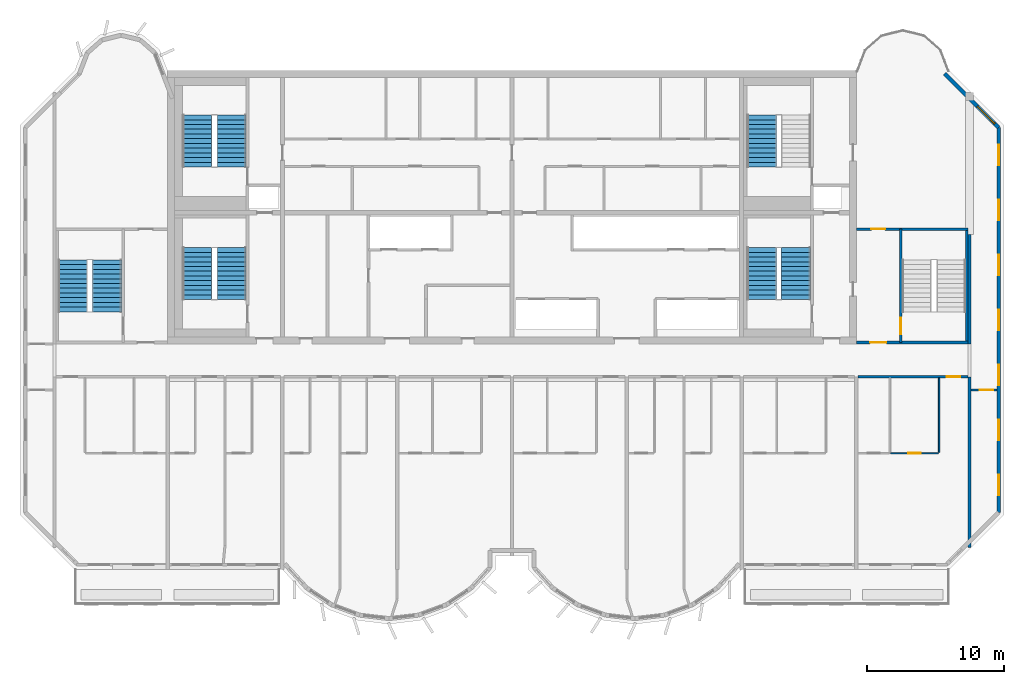
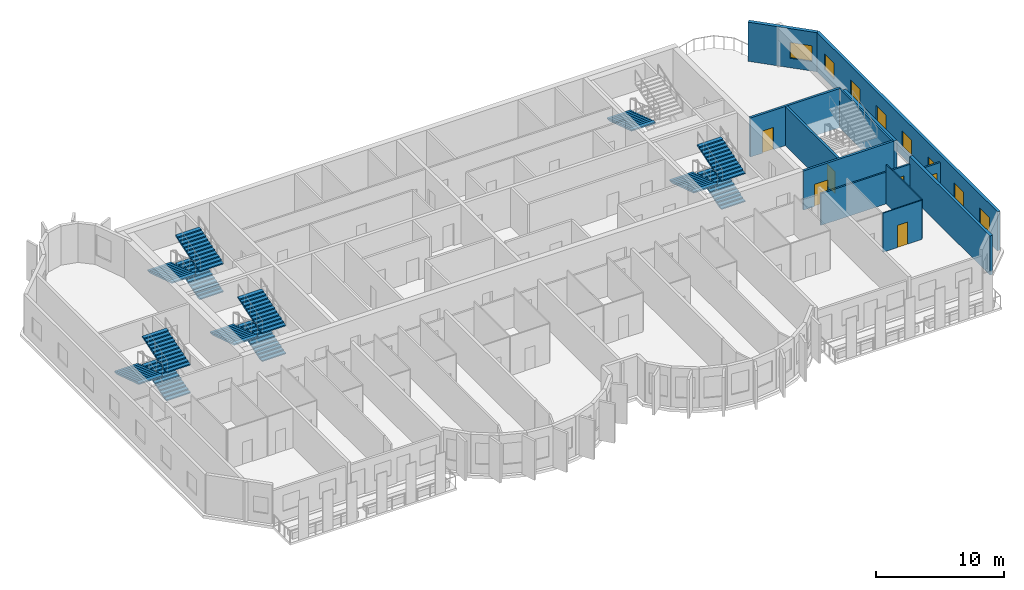
# One storey, part 8 of 12: 13 stair flights, 12 walls, 8 windows, 6 doors, 14 openings, 5 elements without a shape of their own.
"""IFC4 building model written with IfcOpenShell, lengths in metres."""

from ifc_helpers import new_model, si_unit, direction, frame, frame_2d, origin, place, context, subcontext, project, spatial, polyline, rectangle, outline, extrude, source, transform, mapped, material, layer, layer_set, type_object, element, fill, aggregate, save


model = new_model("IFC4")

# Units and contexts
model_context = context("Model", 3, precision=1e-05, world=origin(), true_north=direction((0.0, 1.0)))
body_context = subcontext(model_context, "Body", "Model", "MODEL_VIEW")
ifc_project = project(units=[si_unit("LENGTHUNIT", "METRE"), si_unit("AREAUNIT", "SQUARE_METRE"), si_unit("VOLUMEUNIT", "CUBIC_METRE"), si_unit("PLANEANGLEUNIT", "RADIAN"), si_unit("MASSUNIT", "GRAM", prefix="KILO")], contexts=[model_context])

# Site, building, storey
site_placement = place(None, origin())
site = spatial("IfcSite", under=ifc_project, at=site_placement, CompositionType="ELEMENT")
building_placement = place(site_placement, origin())
building = spatial("IfcBuilding", under=site, at=building_placement, Name="Vanashikhar Sky Hotel", CompositionType="ELEMENT")
storey_placement = place(building_placement, frame((0.0, 0.0, 289.699951171875)))
storey = spatial("IfcBuildingStorey", under=building, at=storey_placement, Name="L69", CompositionType="ELEMENT", Elevation=289.699951171875)

# Walls
ifc_material_1 = material(Name="Concrete M50", Category="concrete")
ifc_layer_1 = layer(ifc_material_1, 0.25)
ifc_layer_set_1 = layer_set([ifc_layer_1], Name="RC shear wall 250 Concrete M50")
wall_type_1 = type_object("IfcWallType", Name="RC shear wall 250 Concrete M50", PredefinedType="SHEAR", material=ifc_layer_set_1)
shared_shape_1 = source(origin(), body_context, "Body", "SweptSolid", [
    extrude(rectangle(XDim=12.5, YDim=0.25, at=frame_2d((6.25, 0.0))), origin(), (0.0, 0.0, 1.0), 3.719970703125),
])
wall_1_placement = place(storey_placement, frame((83.875, 7.10009765625, 0.0), z_axis=(0.0, 0.0, 1.0), x_axis=(0.0, 1.0, 0.0)))
element("IfcWall", 1, at=wall_1_placement, inside=storey, type_object=wall_type_1, Name="CW-L69-XW11-1", PredefinedType="SHEAR", context=body_context, shape_type="MappedRepresentation", body=[
    mapped(shared_shape_1, transform((0.0, 0.0, 0.0), scale=1.0)),
])
shared_shape_2 = source(origin(), body_context, "Body", "SweptSolid", [
    extrude(rectangle(XDim=8.0, YDim=0.25, at=frame_2d((4.0, 0.0))), origin(), (0.0, 0.0, 1.0), 3.719970703125),
])
wall_2_placement = place(storey_placement, frame((83.875, 22.0, 0.0), z_axis=(0.0, 0.0, 1.0), x_axis=(0.0, 1.0, 0.0)))
element("IfcWall", 2, at=wall_2_placement, inside=storey, type_object=wall_type_1, Name="CW-L69-XW11-2", PredefinedType="SHEAR", context=body_context, shape_type="MappedRepresentation", body=[
    mapped(shared_shape_2, transform((0.0, 0.0, 0.0), scale=1.0)),
])

# Wall, opening, window
ifc_layer_2 = layer(ifc_material_1, 0.300048828125)
ifc_layer_set_2 = layer_set([ifc_layer_2], Name="Lobe wall 300")
wall_type_2 = type_object("IfcWallType", Name="Lobe wall 300", PredefinedType="SOLIDWALL", material=ifc_layer_set_2)
shared_shape_3 = source(origin(), body_context, "Body", "SweptSolid", [
    extrude(rectangle(XDim=5.576416015625, YDim=0.300048828125, at=frame_2d((2.7880859375, 0.0))), origin(), (0.0, 0.0, 1.0), 3.719970703125),
])
wall_3_placement = place(storey_placement, frame((86.0, 37.834228515625, 0.0), z_axis=(0.0, 0.0, 1.0), x_axis=(-0.707106781187, 0.707106781187, 0.0)))
wall_3 = element("IfcWall", 3, at=wall_3_placement, inside=storey, type_object=wall_type_2, Name="Corner wall", PredefinedType="SOLIDWALL", context=body_context, shape_type="MappedRepresentation", body=[
    mapped(shared_shape_3, transform((0.0, 0.0, 0.0), scale=1.0)),
])
shared_shape_4 = source(origin(), body_context, "Body", "SweptSolid", [
    extrude(rectangle(XDim=1.800048828125, YDim=1.5, at=frame_2d((0.89990234375, 0.75))), frame((0.0, 0.16015625, 0.0), z_axis=(0.0, -1.0, 0.0), x_axis=(1.0, 0.0, 0.0)), (0.0, 0.0, 1.0), 0.320068359375),
])
opening_1_placement = place(wall_3_placement, frame((0.39013671875, 0.0, 0.89990234375)))
opening_1 = element("IfcOpeningElement", 4, at=opening_1_placement, cuts=wall_3, Name="Opening WN-4", PredefinedType="OPENING", context=body_context, shape_type="MappedRepresentation", body=[
    mapped(shared_shape_4, transform((0.0, 0.0, 0.0), scale=1.0)),
])
ifc_material_2 = material(Name="Glass", Category="glass")
window_type_1 = type_object("IfcWindowType", Name="Corner window 1800 x 1500", PartitioningType="SINGLE_PANEL", PredefinedType="WINDOW", material=ifc_material_2)
shared_shape_5 = source(origin(), body_context, "Body", "SweptSolid", [
    extrude(rectangle(XDim=1.800048828125, YDim=1.5, at=frame_2d((0.89990234375, 0.75))), frame((0.0, 0.030029296875, 0.0), z_axis=(0.0, -1.0, 0.0), x_axis=(1.0, 0.0, 0.0)), (0.0, 0.0, 1.0), 0.06005859375),
])
window_1_placement = place(opening_1_placement, origin())
window_1 = element("IfcWindow", 5, at=window_1_placement, inside=storey, type_object=window_type_1, Name="Window WN-4", OverallHeight=1.5, OverallWidth=1.800048828125, PartitioningType="SINGLE_PANEL", PredefinedType="WINDOW", context=body_context, shape_type="MappedRepresentation", body=[
    mapped(shared_shape_5, transform((0.0, 0.0, 0.0), scale=1.0)),
])
fill(opening_1, window_1)

# Wall, openings, windows
ifc_layer_3 = layer(ifc_material_1, 0.25)
ifc_layer_set_3 = layer_set([ifc_layer_3], Name="Rear and end board-marked wall 250")
wall_type_3 = type_object("IfcWallType", Name="Rear and end board-marked wall 250", PredefinedType="SOLIDWALL", material=ifc_layer_set_3)
shared_shape_6 = source(origin(), body_context, "Body", "SweptSolid", [
    extrude(rectangle(XDim=28.189453125, YDim=0.25, at=frame_2d((14.0947265625, 0.0))), origin(), (0.0, 0.0, 1.0), 3.719970703125),
])
wall_4_placement = place(storey_placement, frame((86.02490234375, 9.6552734375, 0.0), z_axis=(0.0, 0.0, 1.0), x_axis=(0.0, 1.0, 0.0)))
wall_4 = element("IfcWall", 6, at=wall_4_placement, inside=storey, type_object=wall_type_3, Name="End board-marked wall", PredefinedType="SOLIDWALL", context=body_context, shape_type="MappedRepresentation", body=[
    mapped(shared_shape_6, transform((0.0, 0.0, 0.0), scale=1.0)),
])
shared_shape_7 = source(origin(), body_context, "Body", "SweptSolid", [
    extrude(rectangle(XDim=1.5, YDim=1.5, at=frame_2d((0.75, 0.75))), frame((0.0, 0.135009765625, 0.0), z_axis=(0.0, -1.0, 0.0), x_axis=(1.0, 0.0, 0.0)), (0.0, 0.0, 1.0), 0.27001953125),
])
opening_2_placement = place(wall_4_placement, frame((1.263427734375, 0.0, 0.89990234375)))
opening_2 = element("IfcOpeningElement", 7, at=opening_2_placement, cuts=wall_4, Name="Opening WN-1", PredefinedType="OPENING", context=body_context, shape_type="MappedRepresentation", body=[
    mapped(shared_shape_7, transform((0.0, 0.0, 0.0), scale=1.0)),
])
opening_3_placement = place(wall_4_placement, frame((5.29052734375, 0.0, 0.89990234375)))
opening_3 = element("IfcOpeningElement", 8, at=opening_3_placement, cuts=wall_4, Name="Opening WN-1", PredefinedType="OPENING", context=body_context, shape_type="MappedRepresentation", body=[
    mapped(shared_shape_7, transform((0.0, 0.0, 0.0), scale=1.0)),
])
opening_4_placement = place(wall_4_placement, frame((9.317626953125, 0.0, 0.89990234375)))
opening_4 = element("IfcOpeningElement", 9, at=opening_4_placement, cuts=wall_4, Name="Opening WN-1", PredefinedType="OPENING", context=body_context, shape_type="MappedRepresentation", body=[
    mapped(shared_shape_7, transform((0.0, 0.0, 0.0), scale=1.0)),
])
opening_5_placement = place(wall_4_placement, frame((13.3447265625, 0.0, 0.89990234375)))
opening_5 = element("IfcOpeningElement", 10, at=opening_5_placement, cuts=wall_4, Name="Opening WN-1", PredefinedType="OPENING", context=body_context, shape_type="MappedRepresentation", body=[
    mapped(shared_shape_7, transform((0.0, 0.0, 0.0), scale=1.0)),
])
opening_6_placement = place(wall_4_placement, frame((17.371826171875, 0.0, 0.89990234375)))
opening_6 = element("IfcOpeningElement", 11, at=opening_6_placement, cuts=wall_4, Name="Opening WN-1", PredefinedType="OPENING", context=body_context, shape_type="MappedRepresentation", body=[
    mapped(shared_shape_7, transform((0.0, 0.0, 0.0), scale=1.0)),
])
opening_7_placement = place(wall_4_placement, frame((21.398681640625, 0.0, 0.89990234375)))
opening_7 = element("IfcOpeningElement", 12, at=opening_7_placement, cuts=wall_4, Name="Opening WN-1", PredefinedType="OPENING", context=body_context, shape_type="MappedRepresentation", body=[
    mapped(shared_shape_7, transform((0.0, 0.0, 0.0), scale=1.0)),
])
opening_8_placement = place(wall_4_placement, frame((25.42578125, 0.0, 0.89990234375)))
opening_8 = element("IfcOpeningElement", 13, at=opening_8_placement, cuts=wall_4, Name="Opening WN-1", PredefinedType="OPENING", context=body_context, shape_type="MappedRepresentation", body=[
    mapped(shared_shape_7, transform((0.0, 0.0, 0.0), scale=1.0)),
])
window_type_2 = type_object("IfcWindowType", Name="Window 1500 x 1500", PartitioningType="SINGLE_PANEL", PredefinedType="WINDOW", material=ifc_material_2)
shared_shape_8 = source(origin(), body_context, "Body", "SweptSolid", [
    extrude(rectangle(XDim=1.5, YDim=1.5, at=frame_2d((0.75, 0.75))), frame((0.0, 0.030029296875, 0.0), z_axis=(0.0, -1.0, 0.0), x_axis=(1.0, 0.0, 0.0)), (0.0, 0.0, 1.0), 0.06005859375),
])
window_2_placement = place(opening_2_placement, origin())
window_2 = element("IfcWindow", 14, at=window_2_placement, inside=storey, type_object=window_type_2, Name="Window WN-1", OverallHeight=1.5, OverallWidth=1.5, PartitioningType="SINGLE_PANEL", PredefinedType="WINDOW", context=body_context, shape_type="MappedRepresentation", body=[
    mapped(shared_shape_8, transform((0.0, 0.0, 0.0), scale=1.0)),
])
fill(opening_2, window_2)
window_3_placement = place(opening_3_placement, origin())
window_3 = element("IfcWindow", 15, at=window_3_placement, inside=storey, type_object=window_type_2, Name="Window WN-1", OverallHeight=1.5, OverallWidth=1.5, PartitioningType="SINGLE_PANEL", PredefinedType="WINDOW", context=body_context, shape_type="MappedRepresentation", body=[
    mapped(shared_shape_8, transform((0.0, 0.0, 0.0), scale=1.0)),
])
fill(opening_3, window_3)
window_4_placement = place(opening_4_placement, origin())
window_4 = element("IfcWindow", 16, at=window_4_placement, inside=storey, type_object=window_type_2, Name="Window WN-1", OverallHeight=1.5, OverallWidth=1.5, PartitioningType="SINGLE_PANEL", PredefinedType="WINDOW", context=body_context, shape_type="MappedRepresentation", body=[
    mapped(shared_shape_8, transform((0.0, 0.0, 0.0), scale=1.0)),
])
fill(opening_4, window_4)
window_5_placement = place(opening_5_placement, origin())
window_5 = element("IfcWindow", 17, at=window_5_placement, inside=storey, type_object=window_type_2, Name="Window WN-1", OverallHeight=1.5, OverallWidth=1.5, PartitioningType="SINGLE_PANEL", PredefinedType="WINDOW", context=body_context, shape_type="MappedRepresentation", body=[
    mapped(shared_shape_8, transform((0.0, 0.0, 0.0), scale=1.0)),
])
fill(opening_5, window_5)
window_6_placement = place(opening_6_placement, origin())
window_6 = element("IfcWindow", 18, at=window_6_placement, inside=storey, type_object=window_type_2, Name="Window WN-1", OverallHeight=1.5, OverallWidth=1.5, PartitioningType="SINGLE_PANEL", PredefinedType="WINDOW", context=body_context, shape_type="MappedRepresentation", body=[
    mapped(shared_shape_8, transform((0.0, 0.0, 0.0), scale=1.0)),
])
fill(opening_6, window_6)
window_7_placement = place(opening_7_placement, origin())
window_7 = element("IfcWindow", 19, at=window_7_placement, inside=storey, type_object=window_type_2, Name="Window WN-1", OverallHeight=1.5, OverallWidth=1.5, PartitioningType="SINGLE_PANEL", PredefinedType="WINDOW", context=body_context, shape_type="MappedRepresentation", body=[
    mapped(shared_shape_8, transform((0.0, 0.0, 0.0), scale=1.0)),
])
fill(opening_7, window_7)
window_8_placement = place(opening_8_placement, origin())
window_8 = element("IfcWindow", 20, at=window_8_placement, inside=storey, type_object=window_type_2, Name="Window WN-1", OverallHeight=1.5, OverallWidth=1.5, PartitioningType="SINGLE_PANEL", PredefinedType="WINDOW", context=body_context, shape_type="MappedRepresentation", body=[
    mapped(shared_shape_8, transform((0.0, 0.0, 0.0), scale=1.0)),
])
fill(opening_8, window_8)

# Wall, opening, door
ifc_layer_4 = layer(ifc_material_1, 0.199951171875)
ifc_layer_set_4 = layer_set([ifc_layer_4], Name="Stair wall 200")
wall_type_4 = type_object("IfcWallType", Name="Stair wall 200", PredefinedType="SOLIDWALL", material=ifc_layer_set_4)
shared_shape_9 = source(origin(), body_context, "Body", "SweptSolid", [
    extrude(rectangle(XDim=8.2998046875, YDim=0.199951171875, at=frame_2d((4.14990234375, 0.0))), origin(), (0.0, 0.0, 1.0), 3.719970703125),
])
wall_5_placement = place(storey_placement, frame((78.85009765625, 22.10009765625, 0.0), z_axis=(0.0, 0.0, 1.0), x_axis=(0.0, 1.0, 0.0)))
wall_5 = element("IfcWall", 21, at=wall_5_placement, inside=storey, type_object=wall_type_4, Name="Stair wall 200", PredefinedType="SOLIDWALL", context=body_context, shape_type="MappedRepresentation", body=[
    mapped(shared_shape_9, transform((0.0, 0.0, 0.0), scale=1.0)),
])
shared_shape_10 = source(origin(), body_context, "Body", "SweptSolid", [
    extrude(rectangle(XDim=1.199951171875, YDim=2.10009765625, at=frame_2d((0.60009765625, 1.050048828125))), frame((0.0, 0.10986328125, 0.0), z_axis=(0.0, -1.0, 0.0), x_axis=(1.0, 0.0, 0.0)), (0.0, 0.0, 1.0), 0.219970703125),
])
opening_9_placement = place(wall_5_placement, frame((0.60009765625, 0.0, 0.0)))
opening_9 = element("IfcOpeningElement", 22, at=opening_9_placement, cuts=wall_5, Name="Opening DC-1", PredefinedType="OPENING", context=body_context, shape_type="MappedRepresentation", body=[
    mapped(shared_shape_10, transform((0.0, 0.0, 0.0), scale=1.0)),
])
ifc_material_3 = material(Name="Steel", Category="steel")
door_type_1 = type_object("IfcDoorType", Name="Stair door 1200 FD120", OperationType="NOTDEFINED", PredefinedType="DOOR", material=ifc_material_3)
shared_shape_11 = source(origin(), body_context, "Body", "SweptSolid", [
    extrude(rectangle(XDim=1.199951171875, YDim=2.10009765625, at=frame_2d((0.60009765625, 1.050048828125))), frame((0.0, 0.02490234375, 0.0), z_axis=(0.0, -1.0, 0.0), x_axis=(1.0, 0.0, 0.0)), (0.0, 0.0, 1.0), 0.050048828125),
])
door_1_placement = place(opening_9_placement, origin())
door_1 = element("IfcDoor", 23, at=door_1_placement, inside=storey, type_object=door_type_1, Name="Stair door 1200 FD120", OperationType="SINGLE_SWING_LEFT", OverallHeight=2.10009765625, OverallWidth=1.199951171875, PredefinedType="DOOR", context=body_context, shape_type="MappedRepresentation", body=[
    mapped(shared_shape_11, transform((0.0, 0.0, 0.0), scale=1.0)),
])
fill(opening_9, door_1)

shared_shape_12 = source(origin(), body_context, "Body", "SweptSolid", [
    extrude(rectangle(XDim=8.14990234375, YDim=0.199951171875, at=frame_2d((4.074951171875, 0.0))), origin(), (0.0, 0.0, 1.0), 3.719970703125),
])
wall_6_placement = place(storey_placement, frame((83.75, 22.10009765625, 0.0), z_axis=(0.0, 0.0, 1.0), x_axis=(-1.0, 0.0, 0.0)))
wall_6 = element("IfcWall", 24, at=wall_6_placement, inside=storey, type_object=wall_type_4, Name="Stair wall 200", PredefinedType="SOLIDWALL", context=body_context, shape_type="MappedRepresentation", body=[
    mapped(shared_shape_12, transform((0.0, 0.0, 0.0), scale=1.0)),
])
opening_10_placement = place(wall_6_placement, frame((5.949951171875, 0.0, 0.0)))
opening_10 = element("IfcOpeningElement", 25, at=opening_10_placement, cuts=wall_6, Name="Opening DC-2", PredefinedType="OPENING", context=body_context, shape_type="MappedRepresentation", body=[
    mapped(shared_shape_10, transform((0.0, 0.0, 0.0), scale=1.0)),
])
door_type_2 = type_object("IfcDoorType", Name="Firefighting lobby door 1200 FD120", OperationType="NOTDEFINED", PredefinedType="DOOR", material=ifc_material_3)
door_2_placement = place(opening_10_placement, origin())
door_2 = element("IfcDoor", 26, at=door_2_placement, inside=storey, type_object=door_type_2, Name="Firefighting lobby door 1200 FD120", OperationType="SINGLE_SWING_RIGHT", OverallHeight=2.10009765625, OverallWidth=1.199951171875, PredefinedType="DOOR", context=body_context, shape_type="MappedRepresentation", body=[
    mapped(shared_shape_11, transform((0.0, 0.0, 0.0), scale=1.0)),
])
fill(opening_10, door_2)

wall_7_placement = place(storey_placement, frame((83.75, 30.39990234375, 0.0), z_axis=(0.0, 0.0, 1.0), x_axis=(-1.0, 0.0, 0.0)))
wall_7 = element("IfcWall", 27, at=wall_7_placement, inside=storey, type_object=wall_type_4, Name="Stair wall 200", PredefinedType="SOLIDWALL", context=body_context, shape_type="MappedRepresentation", body=[
    mapped(shared_shape_12, transform((0.0, 0.0, 0.0), scale=1.0)),
])
shared_shape_13 = source(origin(), body_context, "Body", "SweptSolid", [
    extrude(rectangle(XDim=1.0, YDim=2.10009765625, at=frame_2d((0.5, 1.050048828125))), frame((0.0, 0.10986328125, 0.0), z_axis=(0.0, -1.0, 0.0), x_axis=(1.0, 0.0, 0.0)), (0.0, 0.0, 1.0), 0.219970703125),
])
opening_11_placement = place(wall_7_placement, frame((6.050048828125, 0.0, 0.0)))
opening_11 = element("IfcOpeningElement", 28, at=opening_11_placement, cuts=wall_7, Name="Opening DC-6", PredefinedType="OPENING", context=body_context, shape_type="MappedRepresentation", body=[
    mapped(shared_shape_13, transform((0.0, 0.0, 0.0), scale=1.0)),
])
door_type_3 = type_object("IfcDoorType", Name="Pocket door 1000 FD60", OperationType="NOTDEFINED", PredefinedType="DOOR", material=ifc_material_3)
shared_shape_14 = source(origin(), body_context, "Body", "SweptSolid", [
    extrude(rectangle(XDim=1.0, YDim=2.10009765625, at=frame_2d((0.5, 1.050048828125))), frame((0.0, 0.02490234375, 0.0), z_axis=(0.0, -1.0, 0.0), x_axis=(1.0, 0.0, 0.0)), (0.0, 0.0, 1.0), 0.050048828125),
])
door_3_placement = place(opening_11_placement, origin())
door_3 = element("IfcDoor", 29, at=door_3_placement, inside=storey, type_object=door_type_3, Name="Pocket door 1000 FD60", OperationType="SINGLE_SWING_RIGHT", OverallHeight=2.10009765625, OverallWidth=1.0, PredefinedType="DOOR", context=body_context, shape_type="MappedRepresentation", body=[
    mapped(shared_shape_14, transform((0.0, 0.0, 0.0), scale=1.0)),
])
fill(opening_11, door_3)

# Wall
ifc_layer_5 = layer(ifc_material_1, 0.14990234375)
ifc_layer_set_5 = layer_set([ifc_layer_5], Name="Stair infill wall 150")
wall_type_5 = type_object("IfcWallType", Name="Stair infill wall 150", PredefinedType="SOLIDWALL", material=ifc_layer_set_5)
shared_shape_15 = source(origin(), body_context, "Body", "SweptSolid", [
    extrude(rectangle(XDim=8.10009765625, YDim=0.14990234375, at=frame_2d((4.050048828125, 0.0))), origin(), (0.0, 0.0, 1.0), 3.719970703125),
])
wall_8_placement = place(storey_placement, frame((83.675048828125, 22.199951171875, 0.0), z_axis=(0.0, 0.0, 1.0), x_axis=(0.0, 1.0, 0.0)))
element("IfcWall", 30, at=wall_8_placement, inside=storey, type_object=wall_type_5, Name="Stair infill wall 150", PredefinedType="SOLIDWALL", context=body_context, shape_type="MappedRepresentation", body=[
    mapped(shared_shape_15, transform((0.0, 0.0, 0.0), scale=1.0)),
])

# Wall, opening, door
ifc_material_4 = material(Name="Gypsum plasterboard partition")
ifc_layer_6 = layer(ifc_material_4, 0.10009765625)
ifc_layer_set_6 = layer_set([ifc_layer_6], Name="Wet room partition 100")
wall_type_6 = type_object("IfcWallType", Name="Wet room partition 100", PredefinedType="PARTITIONING", material=ifc_layer_set_6)
shared_shape_16 = source(origin(), body_context, "Body", "SweptSolid", [
    extrude(rectangle(XDim=3.5, YDim=0.10009765625, at=frame_2d((1.75, 0.0))), origin(), (0.0, 0.0, 1.0), 3.719970703125),
])
wall_9_placement = place(storey_placement, frame((78.10009765625, 14.0, 0.0), z_axis=(0.0, 0.0, 1.0), x_axis=(1.0, 0.0, 0.0)))
wall_9 = element("IfcWall", 31, at=wall_9_placement, inside=storey, type_object=wall_type_6, Name="W-L69-PW044", PredefinedType="PARTITIONING", context=body_context, shape_type="MappedRepresentation", body=[
    mapped(shared_shape_16, transform((0.0, 0.0, 0.0), scale=1.0)),
])
shared_shape_17 = source(origin(), body_context, "Body", "SweptSolid", [
    extrude(rectangle(XDim=0.89990234375, YDim=2.10009765625, at=frame_2d((0.449951171875, 1.050048828125))), frame((0.0, 0.06005859375, 0.0), z_axis=(0.0, -1.0, 0.0), x_axis=(1.0, 0.0, 0.0)), (0.0, 0.0, 1.0), 0.1201171875),
])
opening_12_placement = place(wall_9_placement, frame((1.300048828125, 0.0, 0.0)))
opening_12 = element("IfcOpeningElement", 32, at=opening_12_placement, cuts=wall_9, Name="Opening D-02", PredefinedType="OPENING", context=body_context, shape_type="MappedRepresentation", body=[
    mapped(shared_shape_17, transform((0.0, 0.0, 0.0), scale=1.0)),
])
ifc_material_5 = material(Name="Timber door", Category="wood")
door_type_4 = type_object("IfcDoorType", Name="Internal door 900", OperationType="NOTDEFINED", PredefinedType="DOOR", material=ifc_material_5)
shared_shape_18 = source(origin(), body_context, "Body", "SweptSolid", [
    extrude(rectangle(XDim=0.89990234375, YDim=2.10009765625, at=frame_2d((0.449951171875, 1.050048828125))), frame((0.0, 0.02490234375, 0.0), z_axis=(0.0, -1.0, 0.0), x_axis=(1.0, 0.0, 0.0)), (0.0, 0.0, 1.0), 0.050048828125),
])
door_4_placement = place(opening_12_placement, origin())
door_4 = element("IfcDoor", 33, at=door_4_placement, inside=storey, type_object=door_type_4, Name="D-L69-025", OperationType="SINGLE_SWING_RIGHT", OverallHeight=2.10009765625, OverallWidth=0.89990234375, PredefinedType="DOOR", context=body_context, shape_type="MappedRepresentation", body=[
    mapped(shared_shape_18, transform((0.0, 0.0, 0.0), scale=1.0)),
])
fill(opening_12, door_4)

ifc_layer_7 = layer(ifc_material_4, 0.14990234375)
ifc_layer_set_7 = layer_set([ifc_layer_7], Name="Corridor and demising partition 150")
wall_type_7 = type_object("IfcWallType", Name="Corridor and demising partition 150", PredefinedType="PARTITIONING", material=ifc_layer_set_7)
shared_shape_19 = source(origin(), body_context, "Body", "SweptSolid", [
    extrude(rectangle(XDim=8.02490234375, YDim=0.14990234375, at=frame_2d((4.012451171875, 0.0))), origin(), (0.0, 0.0, 1.0), 3.02001953125),
])
wall_10_placement = place(storey_placement, frame((75.72509765625, 19.60009765625, 0.0), z_axis=(0.0, 0.0, 1.0), x_axis=(1.0, 0.0, 0.0)))
wall_10 = element("IfcWall", 34, at=wall_10_placement, inside=storey, type_object=wall_type_7, Name="W-L69-PW046", PredefinedType="PARTITIONING", context=body_context, shape_type="MappedRepresentation", body=[
    mapped(shared_shape_19, transform((0.0, 0.0, 0.0), scale=1.0)),
])
shared_shape_20 = source(origin(), body_context, "Body", "SweptSolid", [
    extrude(rectangle(XDim=1.0, YDim=2.10009765625, at=frame_2d((0.5, 1.050048828125))), frame((0.0, 0.0849609375, 0.0), z_axis=(0.0, -1.0, 0.0), x_axis=(1.0, 0.0, 0.0)), (0.0, 0.0, 1.0), 0.169921875),
])
opening_13_placement = place(wall_10_placement, frame((6.47509765625, 0.0, 0.0)))
opening_13 = element("IfcOpeningElement", 35, at=opening_13_placement, cuts=wall_10, Name="Opening D-01", PredefinedType="OPENING", context=body_context, shape_type="MappedRepresentation", body=[
    mapped(shared_shape_20, transform((0.0, 0.0, 0.0), scale=1.0)),
])
ifc_material_6 = material(Name="Timber fire door", Category="wood")
door_type_5 = type_object("IfcDoorType", Name="Guest entry door 1000 FD30S", OperationType="NOTDEFINED", PredefinedType="DOOR", material=ifc_material_6)
door_5_placement = place(opening_13_placement, origin())
door_5 = element("IfcDoor", 36, at=door_5_placement, inside=storey, type_object=door_type_5, Name="D-L69-027", OperationType="SINGLE_SWING_RIGHT", OverallHeight=2.10009765625, OverallWidth=1.0, PredefinedType="DOOR", context=body_context, shape_type="MappedRepresentation", body=[
    mapped(shared_shape_14, transform((0.0, 0.0, 0.0), scale=1.0)),
])
fill(opening_13, door_5)

shared_shape_21 = source(origin(), body_context, "Body", "SweptSolid", [
    extrude(rectangle(XDim=1.89990234375, YDim=0.14990234375, at=frame_2d((0.949951171875, 0.0))), origin(), (0.0, 0.0, 1.0), 3.02001953125),
])
wall_11_placement = place(storey_placement, frame((84.0, 18.6279296875, 0.0), z_axis=(0.0, 0.0, 1.0), x_axis=(1.0, 0.0, 0.0)))
wall_11 = element("IfcWall", 37, at=wall_11_placement, inside=storey, type_object=wall_type_7, Name="W-L69-PW051", PredefinedType="PARTITIONING", context=body_context, shape_type="MappedRepresentation", body=[
    mapped(shared_shape_21, transform((0.0, 0.0, 0.0), scale=1.0)),
])
opening_14_placement = place(wall_11_placement, frame((0.625, 0.0, 0.0)))
opening_14 = element("IfcOpeningElement", 38, at=opening_14_placement, cuts=wall_11, Name="Opening D-01", PredefinedType="OPENING", context=body_context, shape_type="MappedRepresentation", body=[
    mapped(shared_shape_20, transform((0.0, 0.0, 0.0), scale=1.0)),
])
door_6_placement = place(opening_14_placement, origin())
door_6 = element("IfcDoor", 39, at=door_6_placement, inside=storey, type_object=door_type_5, Name="D-L69-030", OperationType="SINGLE_SWING_RIGHT", OverallHeight=2.10009765625, OverallWidth=1.0, PredefinedType="DOOR", context=body_context, shape_type="MappedRepresentation", body=[
    mapped(shared_shape_14, transform((0.0, 0.0, 0.0), scale=1.0)),
])
fill(opening_14, door_6)

# Wall
shared_shape_22 = source(origin(), body_context, "Body", "SweptSolid", [
    extrude(rectangle(XDim=5.449951171875, YDim=0.10009765625, at=frame_2d((2.72509765625, 0.0))), origin(), (0.0, 0.0, 1.0), 3.719970703125),
])
wall_12_placement = place(storey_placement, frame((81.64990234375, 14.074951171875, 0.0), z_axis=(0.0, 0.0, 1.0), x_axis=(0.0, 1.0, 0.0)))
element("IfcWall", 40, at=wall_12_placement, inside=storey, type_object=wall_type_6, Name="W-L69-PW042", PredefinedType="PARTITIONING", context=body_context, shape_type="MappedRepresentation", body=[
    mapped(shared_shape_22, transform((0.0, 0.0, 0.0), scale=1.0)),
])

# Stair, stair flights
ifc_material_7 = material(Name="Concrete M40", Category="concrete")
stair_type = type_object("IfcStairType", Name="Exit stair 2150", PredefinedType="DOUBLE_RETURN_STAIR", material=ifc_material_7)
stair_1_placement = place(storey_placement, origin())
stair_1 = element("IfcStair", 41, at=stair_1_placement, inside=storey, type_object=stair_type, Name="L69 Exit stair 1", PredefinedType="DOUBLE_RETURN_STAIR")
stair_flight_type = type_object("IfcStairFlightType", Name="Stair flight 2150", PredefinedType="STRAIGHT", material=ifc_material_7)
shared_shape_23 = source(origin(), body_context, "Body", "SweptSolid", [
    extrude(outline(polyline([(0.0, 0.0), (0.0, 0.111083984375), (0.345458984375, 0.111083984375), (0.345458984375, 0.22216796875), (0.69091796875, 0.22216796875), (0.69091796875, 0.333251953125), (1.036376953125, 0.333251953125), (1.036376953125, 0.4443359375), (1.3818359375, 0.4443359375), (1.3818359375, 0.5556640625), (1.727294921875, 0.5556640625), (1.727294921875, 0.666748046875), (2.07275390625, 0.666748046875), (2.07275390625, 0.77783203125), (2.418212890625, 0.77783203125), (2.418212890625, 0.888916015625), (2.763671875, 0.888916015625), (2.763671875, 1.0), (3.109130859375, 1.0), (3.109130859375, 1.111083984375), (3.45458984375, 1.111083984375), (3.45458984375, 1.22216796875), (3.800048828125, 1.22216796875), (3.800048828125, 1.333251953125), (3.800048828125, 1.095947265625), (0.392333984375, 0.0), (0.0, 0.0)])), frame((0.0, 1.074951171875, 0.0), z_axis=(0.0, -1.0, 0.0), x_axis=(1.0, 0.0, 0.0)), (0.0, 0.0, 1.0), 2.14990234375),
])
stair_flight_1_placement = place(storey_placement, frame((29.875, 25.25, 0.0), z_axis=(0.0, 0.0, 1.0), x_axis=(0.0, 1.0, 0.0)))
stair_flight_1 = element("IfcStairFlight", 42, at=stair_flight_1_placement, type_object=stair_flight_type, Name="ST-C1 flight 1", NumberOfRisers=12, NumberOfTreads=11, PredefinedType="STRAIGHT", RiserHeight=0.111111111, TreadLength=0.345454545, context=body_context, shape_type="MappedRepresentation", body=[
    mapped(shared_shape_23, transform((0.0, 0.0, 0.0), scale=1.0)),
])
stair_flight_2_placement = place(storey_placement, frame((27.375, 29.050048828125, 1.33349609375), z_axis=(0.0, 0.0, 1.0), x_axis=(0.0, -1.0, 0.0)))
stair_flight_2 = element("IfcStairFlight", 43, at=stair_flight_2_placement, type_object=stair_flight_type, Name="ST-C1 flight 2", NumberOfRisers=12, NumberOfTreads=11, PredefinedType="STRAIGHT", RiserHeight=0.111111111, TreadLength=0.345454545, context=body_context, shape_type="MappedRepresentation", body=[
    mapped(shared_shape_23, transform((0.0, 0.0, 0.0), scale=1.0)),
])
stair_flight_3_placement = place(storey_placement, frame((29.875, 25.25, 2.666748046875), z_axis=(0.0, 0.0, 1.0), x_axis=(0.0, 1.0, 0.0)))
stair_flight_3 = element("IfcStairFlight", 44, at=stair_flight_3_placement, type_object=stair_flight_type, Name="ST-C1 flight 3", NumberOfRisers=12, NumberOfTreads=11, PredefinedType="STRAIGHT", RiserHeight=0.111111111, TreadLength=0.345454545, context=body_context, shape_type="MappedRepresentation", body=[
    mapped(shared_shape_23, transform((0.0, 0.0, 0.0), scale=1.0)),
])
aggregate(stair_1, [stair_flight_1, stair_flight_2, stair_flight_3])

stair_2_placement = place(storey_placement, origin())
stair_2 = element("IfcStair", 45, at=stair_2_placement, inside=storey, type_object=stair_type, Name="L69 Exit stair 2", PredefinedType="DOUBLE_RETURN_STAIR")
stair_flight_4_placement = place(storey_placement, frame((71.175048828125, 25.25, 0.0), z_axis=(0.0, 0.0, 1.0), x_axis=(0.0, 1.0, 0.0)))
stair_flight_4 = element("IfcStairFlight", 46, at=stair_flight_4_placement, type_object=stair_flight_type, Name="ST-C2 flight 1", NumberOfRisers=12, NumberOfTreads=11, PredefinedType="STRAIGHT", RiserHeight=0.111111111, TreadLength=0.345454545, context=body_context, shape_type="MappedRepresentation", body=[
    mapped(shared_shape_23, transform((0.0, 0.0, 0.0), scale=1.0)),
])
stair_flight_5_placement = place(storey_placement, frame((68.675048828125, 29.050048828125, 1.33349609375), z_axis=(0.0, 0.0, 1.0), x_axis=(0.0, -1.0, 0.0)))
stair_flight_5 = element("IfcStairFlight", 47, at=stair_flight_5_placement, type_object=stair_flight_type, Name="ST-C2 flight 2", NumberOfRisers=12, NumberOfTreads=11, PredefinedType="STRAIGHT", RiserHeight=0.111111111, TreadLength=0.345454545, context=body_context, shape_type="MappedRepresentation", body=[
    mapped(shared_shape_23, transform((0.0, 0.0, 0.0), scale=1.0)),
])
stair_flight_6_placement = place(storey_placement, frame((71.175048828125, 25.25, 2.666748046875), z_axis=(0.0, 0.0, 1.0), x_axis=(0.0, 1.0, 0.0)))
stair_flight_6 = element("IfcStairFlight", 48, at=stair_flight_6_placement, type_object=stair_flight_type, Name="ST-C2 flight 3", NumberOfRisers=12, NumberOfTreads=11, PredefinedType="STRAIGHT", RiserHeight=0.111111111, TreadLength=0.345454545, context=body_context, shape_type="MappedRepresentation", body=[
    mapped(shared_shape_23, transform((0.0, 0.0, 0.0), scale=1.0)),
])
aggregate(stair_2, [stair_flight_4, stair_flight_5, stair_flight_6])

stair_3_placement = place(storey_placement, origin())
stair_3 = element("IfcStair", 49, at=stair_3_placement, inside=storey, type_object=stair_type, Name="L69 Exit stair 3", PredefinedType="DOUBLE_RETURN_STAIR")
stair_flight_7_placement = place(storey_placement, frame((20.77490234375, 24.35009765625, 0.0), z_axis=(0.0, 0.0, 1.0), x_axis=(0.0, 1.0, 0.0)))
stair_flight_7 = element("IfcStairFlight", 50, at=stair_flight_7_placement, type_object=stair_flight_type, Name="ST-W flight 1", NumberOfRisers=12, NumberOfTreads=11, PredefinedType="STRAIGHT", RiserHeight=0.111111111, TreadLength=0.345454545, context=body_context, shape_type="MappedRepresentation", body=[
    mapped(shared_shape_23, transform((0.0, 0.0, 0.0), scale=1.0)),
])
stair_flight_8_placement = place(storey_placement, frame((18.27490234375, 28.14990234375, 1.33349609375), z_axis=(0.0, 0.0, 1.0), x_axis=(0.0, -1.0, 0.0)))
stair_flight_8 = element("IfcStairFlight", 51, at=stair_flight_8_placement, type_object=stair_flight_type, Name="ST-W flight 2", NumberOfRisers=12, NumberOfTreads=11, PredefinedType="STRAIGHT", RiserHeight=0.111111111, TreadLength=0.345454545, context=body_context, shape_type="MappedRepresentation", body=[
    mapped(shared_shape_23, transform((0.0, 0.0, 0.0), scale=1.0)),
])
stair_flight_9_placement = place(storey_placement, frame((20.77490234375, 24.35009765625, 2.666748046875), z_axis=(0.0, 0.0, 1.0), x_axis=(0.0, 1.0, 0.0)))
stair_flight_9 = element("IfcStairFlight", 52, at=stair_flight_9_placement, type_object=stair_flight_type, Name="ST-W flight 3", NumberOfRisers=12, NumberOfTreads=11, PredefinedType="STRAIGHT", RiserHeight=0.111111111, TreadLength=0.345454545, context=body_context, shape_type="MappedRepresentation", body=[
    mapped(shared_shape_23, transform((0.0, 0.0, 0.0), scale=1.0)),
])
aggregate(stair_3, [stair_flight_7, stair_flight_8, stair_flight_9])

stair_4_placement = place(storey_placement, origin())
stair_4 = element("IfcStair", 53, at=stair_4_placement, inside=storey, type_object=stair_type, Name="L69 Exit stair 5", PredefinedType="DOUBLE_RETURN_STAIR")
stair_flight_10_placement = place(storey_placement, frame((29.875, 34.949951171875, 0.0), z_axis=(0.0, 0.0, 1.0), x_axis=(0.0, 1.0, 0.0)))
stair_flight_10 = element("IfcStairFlight", 54, at=stair_flight_10_placement, type_object=stair_flight_type, Name="ST-C3 flight 1", NumberOfRisers=12, NumberOfTreads=11, PredefinedType="STRAIGHT", RiserHeight=0.111111111, TreadLength=0.345454545, context=body_context, shape_type="MappedRepresentation", body=[
    mapped(shared_shape_23, transform((0.0, 0.0, 0.0), scale=1.0)),
])
stair_flight_11_placement = place(storey_placement, frame((27.375, 38.75, 1.33349609375), z_axis=(0.0, 0.0, 1.0), x_axis=(0.0, -1.0, 0.0)))
stair_flight_11 = element("IfcStairFlight", 55, at=stair_flight_11_placement, type_object=stair_flight_type, Name="ST-C3 flight 2", NumberOfRisers=12, NumberOfTreads=11, PredefinedType="STRAIGHT", RiserHeight=0.111111111, TreadLength=0.345454545, context=body_context, shape_type="MappedRepresentation", body=[
    mapped(shared_shape_23, transform((0.0, 0.0, 0.0), scale=1.0)),
])
stair_flight_12_placement = place(storey_placement, frame((29.875, 34.949951171875, 2.666748046875), z_axis=(0.0, 0.0, 1.0), x_axis=(0.0, 1.0, 0.0)))
stair_flight_12 = element("IfcStairFlight", 56, at=stair_flight_12_placement, type_object=stair_flight_type, Name="ST-C3 flight 3", NumberOfRisers=12, NumberOfTreads=11, PredefinedType="STRAIGHT", RiserHeight=0.111111111, TreadLength=0.345454545, context=body_context, shape_type="MappedRepresentation", body=[
    mapped(shared_shape_23, transform((0.0, 0.0, 0.0), scale=1.0)),
])
aggregate(stair_4, [stair_flight_10, stair_flight_11, stair_flight_12])

# Stair, stair flight
stair_5_placement = place(storey_placement, origin())
stair_5 = element("IfcStair", 57, at=stair_5_placement, inside=storey, type_object=stair_type, Name="L69 Exit stair 6", PredefinedType="DOUBLE_RETURN_STAIR")
stair_flight_13_placement = place(storey_placement, frame((68.675048828125, 38.75, 1.33349609375), z_axis=(0.0, 0.0, 1.0), x_axis=(0.0, -1.0, 0.0)))
stair_flight_13 = element("IfcStairFlight", 58, at=stair_flight_13_placement, type_object=stair_flight_type, Name="ST-C4 flight 2", NumberOfRisers=12, NumberOfTreads=11, PredefinedType="STRAIGHT", RiserHeight=0.111111111, TreadLength=0.345454545, context=body_context, shape_type="MappedRepresentation", body=[
    mapped(shared_shape_23, transform((0.0, 0.0, 0.0), scale=1.0)),
])
aggregate(stair_5, [stair_flight_13])

save(model, "model.ifc")
